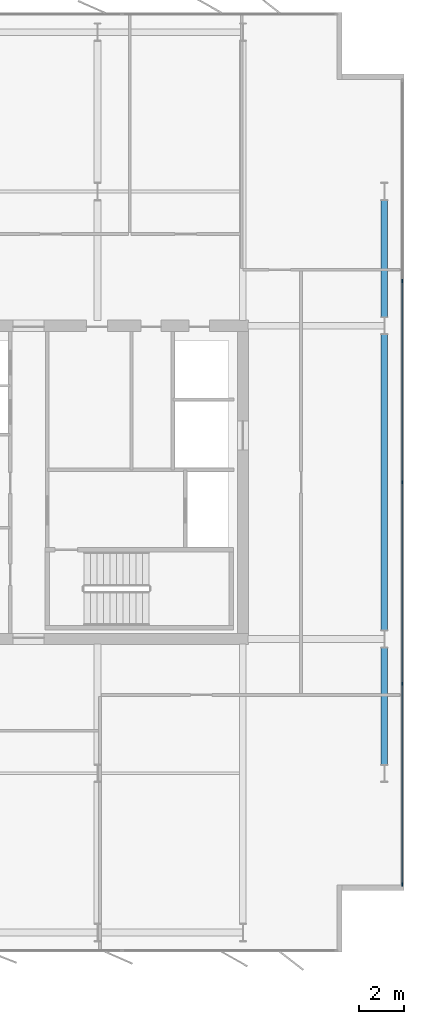
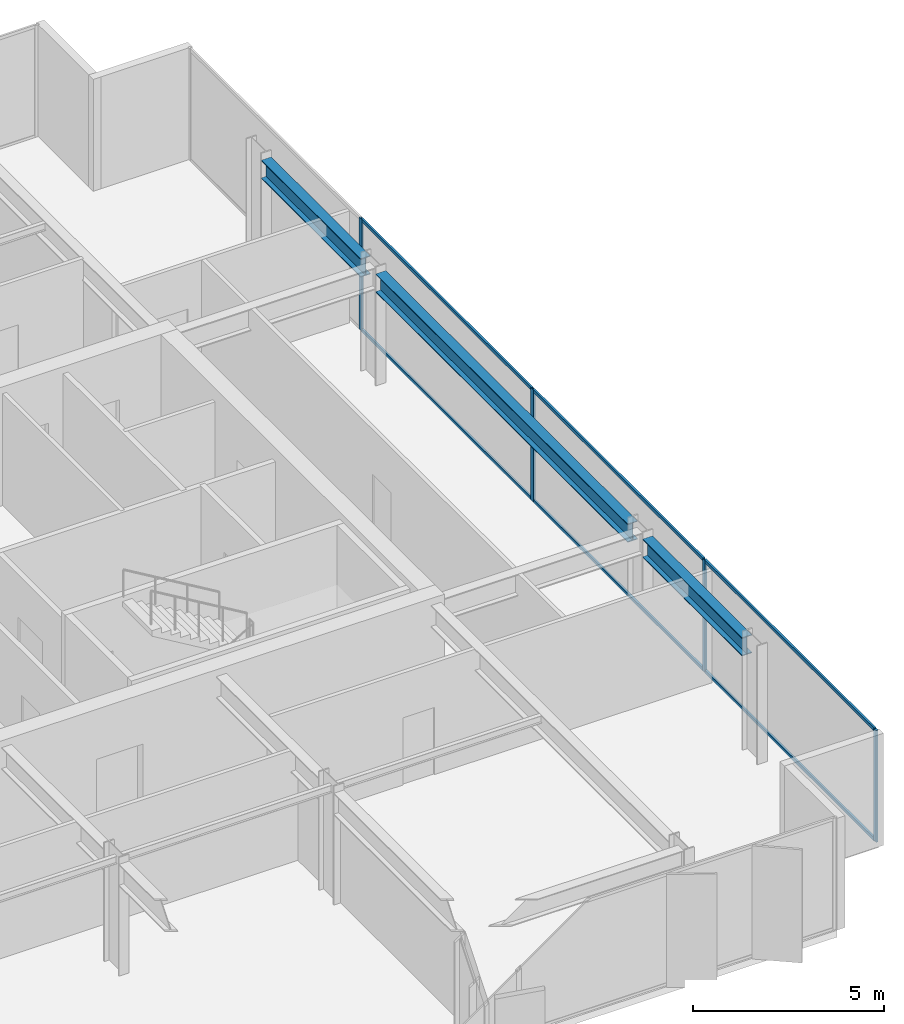
# One storey, part 14 of 23: 10 members, 3 beams, 1 element without a shape of its own.
"""IFC4 building model written with IfcOpenShell, lengths in metres."""

from ifc_helpers import new_model, si_unit, direction, frame, origin, origin_2d, place, context, subcontext, project, spatial, rectangle, i_section, extrude, material, layer, layer_set, material_profile, profile_set, type_object, element, aggregate, save


model = new_model("IFC4")

# Units and contexts
model_context = context("Model", 3, precision=1e-05, world=origin(), true_north=direction((0.0, 1.0)))
body_context = subcontext(model_context, "Body", "Model", "MODEL_VIEW")
ifc_project = project(units=[si_unit("LENGTHUNIT", "METRE"), si_unit("AREAUNIT", "SQUARE_METRE"), si_unit("VOLUMEUNIT", "CUBIC_METRE"), si_unit("PLANEANGLEUNIT", "RADIAN"), si_unit("MASSUNIT", "GRAM", prefix="KILO")], contexts=[model_context])

# Site, building, storey
site_placement = place(None, origin())
site = spatial("IfcSite", under=ifc_project, at=site_placement, CompositionType="ELEMENT")
building_placement = place(site_placement, origin())
building = spatial("IfcBuilding", under=site, at=building_placement, Name="Putna Gate Headquarters", CompositionType="ELEMENT")
storey_placement = place(building_placement, frame((0.0, 0.0, 232.800048828125)))
storey = spatial("IfcBuildingStorey", under=building, at=storey_placement, Name="L58", CompositionType="ELEMENT", Elevation=232.800048828125)

# Beams
ifc_material_1 = material(Name="Steel S355J2", Category="steel")
ifc_material_profile_1 = material_profile(ifc_material_1, i_section(OverallWidth=0.300048828125, OverallDepth=0.590087890625, WebThickness=0.012939453125, FlangeThickness=0.02490234375, at=origin_2d()), Name="Steel S355J2")
ifc_profile_set_1 = profile_set([ifc_material_profile_1], Name="Steel S355J2")
beam_type = type_object("IfcBeamType", Name="BM-SPAN-Z4-HEA600", PredefinedType="SPANDREL", material=ifc_profile_set_1)
beam_1_placement = place(storey_placement, frame((71.320068359375, 13.39501953125, 3.284912109375), z_axis=(0.0, 1.0, 0.0), x_axis=(-1.0, 0.0, 0.0)))
element("IfcBeam", 1, at=beam_1_placement, inside=storey, type_object=beam_type, Name="L58 E End Spandrel 1", PredefinedType="SPANDREL", context=body_context, shape_type="SweptSolid", body=[
    extrude(i_section(OverallWidth=0.300048828125, OverallDepth=0.590087890625, WebThickness=0.012939453125, FlangeThickness=0.02490234375, at=origin_2d()), origin(), (0.0, 0.0, 1.0), 5.2099609375),
])
beam_2_placement = place(storey_placement, frame((71.320068359375, 19.39501953125, 3.284912109375), z_axis=(0.0, 1.0, 0.0), x_axis=(-1.0, 0.0, 0.0)))
element("IfcBeam", 2, at=beam_2_placement, inside=storey, type_object=beam_type, Name="L58 E End Spandrel 2", PredefinedType="SPANDREL", context=body_context, shape_type="SweptSolid", body=[
    extrude(i_section(OverallWidth=0.300048828125, OverallDepth=0.590087890625, WebThickness=0.012939453125, FlangeThickness=0.02490234375, at=origin_2d()), origin(), (0.0, 0.0, 1.0), 13.2099609375),
])
beam_3_placement = place(storey_placement, frame((71.320068359375, 33.39501953125, 3.284912109375), z_axis=(0.0, 1.0, 0.0), x_axis=(-1.0, 0.0, 0.0)))
element("IfcBeam", 3, at=beam_3_placement, inside=storey, type_object=beam_type, Name="L58 E End Spandrel 3", PredefinedType="SPANDREL", context=body_context, shape_type="SweptSolid", body=[
    extrude(i_section(OverallWidth=0.300048828125, OverallDepth=0.590087890625, WebThickness=0.012939453125, FlangeThickness=0.02490234375, at=origin_2d()), origin(), (0.0, 0.0, 1.0), 5.2099609375),
])

# Curtain wall, members
ifc_material_2 = material(Name="Anodised bronze aluminium curtain wall", Category="aluminium")
ifc_layer = layer(ifc_material_2, 0.139892578125)
ifc_layer_set = layer_set([ifc_layer], Name="Anodised bronze aluminium curtain wall")
curtain_wall_type = type_object("IfcCurtainWallType", Name="CW-SYS-Z4", PredefinedType="USERDEFINED", material=ifc_layer_set)
curtain_wall_placement = place(storey_placement, origin())
curtain_wall = element("IfcCurtainWall", 4, at=curtain_wall_placement, inside=storey, type_object=curtain_wall_type, Name="L58 East Curtain Wall", ObjectType="STICK CURTAIN WALL", PredefinedType="USERDEFINED")
ifc_material_3 = material(Name="Anodised bronze aluminium EN AW-6060", Category="aluminium")
ifc_material_profile_2 = material_profile(ifc_material_3, rectangle(XDim=0.06005859375, YDim=0.139892578125, at=origin_2d()), Name="Anodised bronze aluminium EN AW-6060")
ifc_profile_set_2 = profile_set([ifc_material_profile_2], Name="Anodised bronze aluminium EN AW-6060")
member_type_1 = type_object("IfcMemberType", Name="MULL-CWM-4", PredefinedType="MULLION", material=ifc_profile_set_2)
member_1_placement = place(storey_placement, frame((72.1201171875, 8.030029296875, 0.0), z_axis=(0.0, 0.0, 1.0), x_axis=(-1.0, 0.0, 0.0)))
member_1 = element("IfcMember", 5, at=member_1_placement, type_object=member_type_1, Name="CWS-4 mullion 1", PredefinedType="MULLION", context=body_context, shape_type="SweptSolid", body=[
    extrude(rectangle(XDim=0.06005859375, YDim=0.139892578125, at=origin_2d()), origin(), (0.0, 0.0, 1.0), 3.579833984375),
])
member_2_placement = place(storey_placement, frame((72.1201171875, 17.0, 0.0), z_axis=(0.0, 0.0, 1.0), x_axis=(-1.0, 0.0, 0.0)))
member_2 = element("IfcMember", 6, at=member_2_placement, type_object=member_type_1, Name="CWS-4 mullion 2", PredefinedType="MULLION", context=body_context, shape_type="SweptSolid", body=[
    extrude(rectangle(XDim=0.06005859375, YDim=0.139892578125, at=origin_2d()), origin(), (0.0, 0.0, 1.0), 3.579833984375),
])
member_3_placement = place(storey_placement, frame((72.1201171875, 26.0, 0.0), z_axis=(0.0, 0.0, 1.0), x_axis=(-1.0, 0.0, 0.0)))
member_3 = element("IfcMember", 7, at=member_3_placement, type_object=member_type_1, Name="CWS-4 mullion 3", PredefinedType="MULLION", context=body_context, shape_type="SweptSolid", body=[
    extrude(rectangle(XDim=0.06005859375, YDim=0.139892578125, at=origin_2d()), origin(), (0.0, 0.0, 1.0), 3.579833984375),
])
member_4_placement = place(storey_placement, frame((72.1201171875, 35.0, 0.0), z_axis=(0.0, 0.0, 1.0), x_axis=(-1.0, 0.0, 0.0)))
member_4 = element("IfcMember", 8, at=member_4_placement, type_object=member_type_1, Name="CWS-4 mullion 4", PredefinedType="MULLION", context=body_context, shape_type="SweptSolid", body=[
    extrude(rectangle(XDim=0.06005859375, YDim=0.139892578125, at=origin_2d()), origin(), (0.0, 0.0, 1.0), 3.579833984375),
])
ifc_material_profile_3 = material_profile(ifc_material_3, rectangle(XDim=0.06005859375, YDim=0.10009765625, at=origin_2d()), Name="Anodised bronze aluminium EN AW-6060")
ifc_profile_set_3 = profile_set([ifc_material_profile_3], Name="Anodised bronze aluminium EN AW-6060")
member_type_2 = type_object("IfcMemberType", Name="TRAN-CWT-4", PredefinedType="USERDEFINED", material=ifc_profile_set_3)
member_5_placement = place(storey_placement, frame((72.1201171875, 8.06005859375, 0.030029296875), z_axis=(0.0, 1.0, 0.0), x_axis=(-1.0, 0.0, 0.0)))
member_5 = element("IfcMember", 9, at=member_5_placement, type_object=member_type_2, Name="CWS-4 transom 1.1", ObjectType="TRANSOM", PredefinedType="USERDEFINED", context=body_context, shape_type="SweptSolid", body=[
    extrude(rectangle(XDim=0.06005859375, YDim=0.10009765625, at=origin_2d()), origin(), (0.0, 0.0, 1.0), 8.909912109375),
])
member_6_placement = place(storey_placement, frame((72.1201171875, 8.06005859375, 3.550048828125), z_axis=(0.0, 1.0, 0.0), x_axis=(-1.0, 0.0, 0.0)))
member_6 = element("IfcMember", 10, at=member_6_placement, type_object=member_type_2, Name="CWS-4 transom 1.2", ObjectType="TRANSOM", PredefinedType="USERDEFINED", context=body_context, shape_type="SweptSolid", body=[
    extrude(rectangle(XDim=0.06005859375, YDim=0.10009765625, at=origin_2d()), origin(), (0.0, 0.0, 1.0), 8.909912109375),
])
member_7_placement = place(storey_placement, frame((72.1201171875, 17.030029296875, 0.030029296875), z_axis=(0.0, 1.0, 0.0), x_axis=(-1.0, 0.0, 0.0)))
member_7 = element("IfcMember", 11, at=member_7_placement, type_object=member_type_2, Name="CWS-4 transom 2.1", ObjectType="TRANSOM", PredefinedType="USERDEFINED", context=body_context, shape_type="SweptSolid", body=[
    extrude(rectangle(XDim=0.06005859375, YDim=0.10009765625, at=origin_2d()), origin(), (0.0, 0.0, 1.0), 8.93994140625),
])
member_8_placement = place(storey_placement, frame((72.1201171875, 17.030029296875, 3.550048828125), z_axis=(0.0, 1.0, 0.0), x_axis=(-1.0, 0.0, 0.0)))
member_8 = element("IfcMember", 12, at=member_8_placement, type_object=member_type_2, Name="CWS-4 transom 2.2", ObjectType="TRANSOM", PredefinedType="USERDEFINED", context=body_context, shape_type="SweptSolid", body=[
    extrude(rectangle(XDim=0.06005859375, YDim=0.10009765625, at=origin_2d()), origin(), (0.0, 0.0, 1.0), 8.93994140625),
])
member_9_placement = place(storey_placement, frame((72.1201171875, 26.030029296875, 0.030029296875), z_axis=(0.0, 1.0, 0.0), x_axis=(-1.0, 0.0, 0.0)))
member_9 = element("IfcMember", 13, at=member_9_placement, type_object=member_type_2, Name="CWS-4 transom 3.1", ObjectType="TRANSOM", PredefinedType="USERDEFINED", context=body_context, shape_type="SweptSolid", body=[
    extrude(rectangle(XDim=0.06005859375, YDim=0.10009765625, at=origin_2d()), origin(), (0.0, 0.0, 1.0), 8.93994140625),
])
member_10_placement = place(storey_placement, frame((72.1201171875, 26.030029296875, 3.550048828125), z_axis=(0.0, 1.0, 0.0), x_axis=(-1.0, 0.0, 0.0)))
member_10 = element("IfcMember", 14, at=member_10_placement, type_object=member_type_2, Name="CWS-4 transom 3.2", ObjectType="TRANSOM", PredefinedType="USERDEFINED", context=body_context, shape_type="SweptSolid", body=[
    extrude(rectangle(XDim=0.06005859375, YDim=0.10009765625, at=origin_2d()), origin(), (0.0, 0.0, 1.0), 8.93994140625),
])
aggregate(curtain_wall, [member_1, member_2, member_3, member_4, member_5, member_6, member_7, member_8, member_9, member_10])

save(model, "model.ifc")
